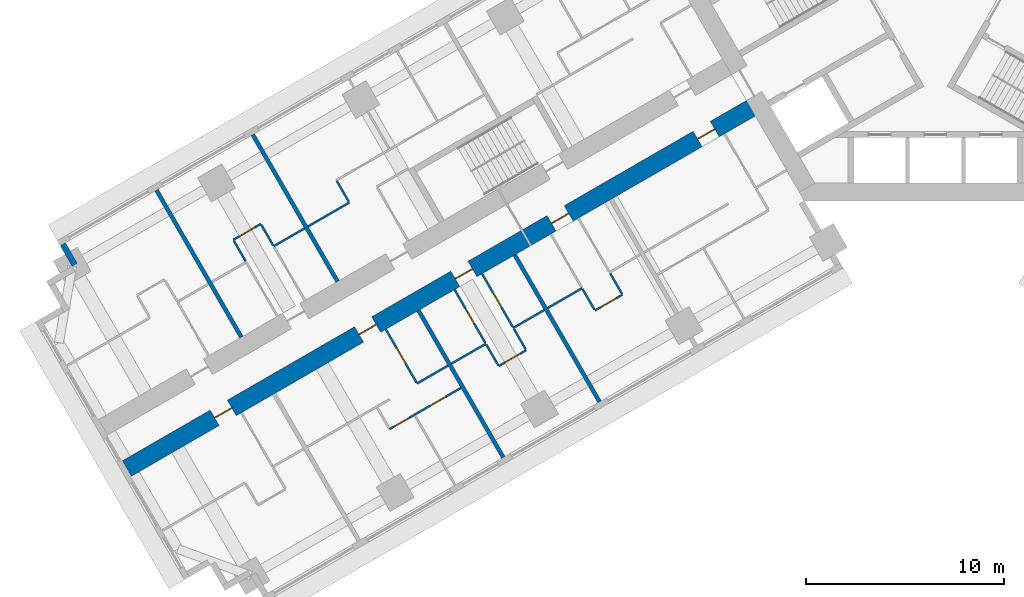
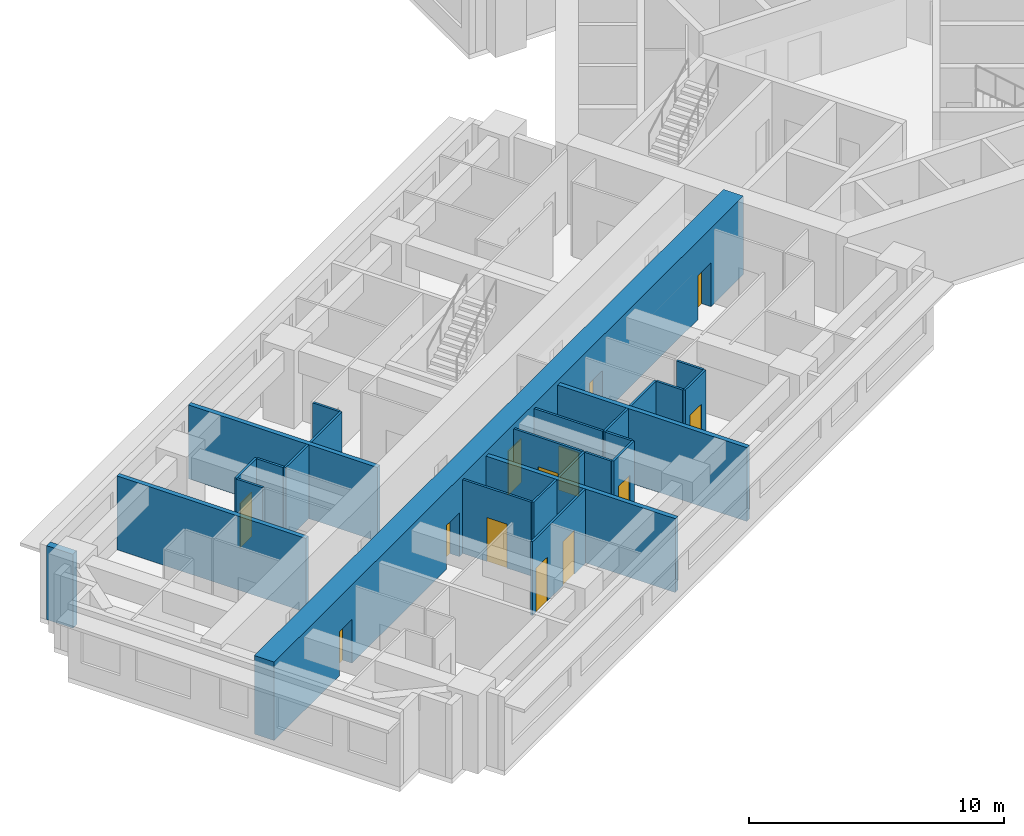
# One storey, part 4 of 16: 26 walls, 13 doors, 13 openings.
"""IFC4 building model written with IfcOpenShell, lengths in metres."""

from ifc_helpers import new_model, si_unit, direction, frame, frame_2d, origin, place, context, subcontext, project, spatial, rectangle, extrude, material, layer, layer_set, type_object, element, fill, save


model = new_model("IFC4")

# Units and contexts
model_context = context("Model", 3, precision=1e-05, world=origin(), true_north=direction((0.0, 1.0)))
body_context = subcontext(model_context, "Body", "Model", "MODEL_VIEW")
ifc_project = project(units=[si_unit("LENGTHUNIT", "METRE"), si_unit("AREAUNIT", "SQUARE_METRE"), si_unit("VOLUMEUNIT", "CUBIC_METRE"), si_unit("PLANEANGLEUNIT", "RADIAN"), si_unit("MASSUNIT", "GRAM", prefix="KILO")], contexts=[model_context])

# Site, building, storey
site_placement = place(None, origin())
site = spatial("IfcSite", under=ifc_project, at=site_placement, CompositionType="ELEMENT")
building_placement = place(site_placement, origin())
building = spatial("IfcBuilding", under=site, at=building_placement, Name="Impinga Residences", CompositionType="ELEMENT")
storey_placement = place(building_placement, frame((0.0, 0.0, 63.5)))
storey = spatial("IfcBuildingStorey", under=building, at=storey_placement, Name="L15", CompositionType="ELEMENT", Elevation=63.5)

# Wall, openings, doors
ifc_material_1 = material(Name="Concrete C70/85", Category="concrete")
ifc_layer_1 = layer(ifc_material_1, 0.89990234375)
ifc_layer_set_1 = layer_set([ifc_layer_1], Name="Concrete C70/85")
wall_type_1 = type_object("IfcWallType", Name="BW1 corridor buttress wall, L05 to L22 900", PredefinedType="SHEAR", material=ifc_layer_set_1)
wall_1_placement = place(storey_placement, frame((-8.910400390625, -6.530029296875, 0.0), z_axis=(0.0, 0.0, 1.0), x_axis=(-0.866025284237, -0.500000207062, 0.0)))
wall_1 = element("IfcWall", 1, at=wall_1_placement, inside=storey, type_object=wall_type_1, Name="Corridor wall BW1 WC L15", PredefinedType="SHEAR", context=body_context, shape_type="SweptSolid", body=[
    extrude(rectangle(XDim=36.75, YDim=0.89990234375, at=frame_2d((18.375, 0.0))), origin(), (0.0, 0.0, 1.0), 3.75),
])
opening_1_placement = place(wall_1_placement, frame((2.550048828125, 0.0, 0.0)))
opening_1 = element("IfcOpeningElement", 2, at=opening_1_placement, cuts=wall_1, Name="Opening D1", PredefinedType="OPENING", context=body_context, shape_type="SweptSolid", body=[
    extrude(rectangle(XDim=1.0, YDim=2.10009765625, at=frame_2d((0.5, 1.050048828125))), frame((0.0, 0.4599609375, 0.0), z_axis=(0.0, -1.0, 0.0), x_axis=(1.0, 0.0, 0.0)), (0.0, 0.0, 1.0), 0.919921875),
])
opening_2_placement = place(wall_1_placement, frame((11.050048828125, 0.0, 0.0)))
opening_2 = element("IfcOpeningElement", 3, at=opening_2_placement, cuts=wall_1, Name="Opening D1", PredefinedType="OPENING", context=body_context, shape_type="SweptSolid", body=[
    extrude(rectangle(XDim=1.0, YDim=2.10009765625, at=frame_2d((0.5, 1.050048828125))), frame((0.0, 0.4599609375, 0.0), z_axis=(0.0, -1.0, 0.0), x_axis=(1.0, 0.0, 0.0)), (0.0, 0.0, 1.0), 0.919921875),
])
opening_3_placement = place(wall_1_placement, frame((16.64990234375, 0.0, 0.0)))
opening_3 = element("IfcOpeningElement", 4, at=opening_3_placement, cuts=wall_1, Name="Opening D1", PredefinedType="OPENING", context=body_context, shape_type="SweptSolid", body=[
    extrude(rectangle(XDim=1.0, YDim=2.10009765625, at=frame_2d((0.5, 1.050048828125))), frame((0.0, 0.4599609375, 0.0), z_axis=(0.0, -1.0, 0.0), x_axis=(1.0, 0.0, 0.0)), (0.0, 0.0, 1.0), 0.919921875),
])
opening_4_placement = place(wall_1_placement, frame((22.25, 0.0, 0.0)))
opening_4 = element("IfcOpeningElement", 5, at=opening_4_placement, cuts=wall_1, Name="Opening D1", PredefinedType="OPENING", context=body_context, shape_type="SweptSolid", body=[
    extrude(rectangle(XDim=1.0, YDim=2.10009765625, at=frame_2d((0.5, 1.050048828125))), frame((0.0, 0.4599609375, 0.0), z_axis=(0.0, -1.0, 0.0), x_axis=(1.0, 0.0, 0.0)), (0.0, 0.0, 1.0), 0.919921875),
])
opening_5_placement = place(wall_1_placement, frame((30.64990234375, 0.0, 0.0)))
opening_5 = element("IfcOpeningElement", 6, at=opening_5_placement, cuts=wall_1, Name="Opening D1", PredefinedType="OPENING", context=body_context, shape_type="SweptSolid", body=[
    extrude(rectangle(XDim=1.0, YDim=2.10009765625, at=frame_2d((0.5, 1.050048828125))), frame((0.0, 0.4599609375, 0.0), z_axis=(0.0, -1.0, 0.0), x_axis=(1.0, 0.0, 0.0)), (0.0, 0.0, 1.0), 0.919921875),
])
ifc_material_2 = material(Name="Timber door set", Category="wood")
door_type_1 = type_object("IfcDoorType", Name="D1 apartment entrance door 1000x2100", OperationType="SINGLE_SWING_LEFT", PredefinedType="DOOR", material=ifc_material_2)
door_1_placement = place(opening_1_placement, origin())
door_1 = element("IfcDoor", 7, at=door_1_placement, inside=storey, type_object=door_type_1, Name="Apartment L15-WA1 entrance", OperationType="SINGLE_SWING_LEFT", OverallHeight=2.10009765625, OverallWidth=1.0, PredefinedType="DOOR", context=body_context, shape_type="SweptSolid", body=[
    extrude(rectangle(XDim=1.0, YDim=2.10009765625, at=frame_2d((0.5, 1.050048828125))), frame((0.0, 0.02490234375, 0.0), z_axis=(0.0, -1.0, 0.0), x_axis=(1.0, 0.0, 0.0)), (0.0, 0.0, 1.0), 0.050048828125),
])
fill(opening_1, door_1)
door_2_placement = place(opening_2_placement, origin())
door_2 = element("IfcDoor", 8, at=door_2_placement, inside=storey, type_object=door_type_1, Name="Apartment L15-WA2 entrance", OperationType="SINGLE_SWING_LEFT", OverallHeight=2.10009765625, OverallWidth=1.0, PredefinedType="DOOR", context=body_context, shape_type="SweptSolid", body=[
    extrude(rectangle(XDim=1.0, YDim=2.10009765625, at=frame_2d((0.5, 1.050048828125))), frame((0.0, 0.02490234375, 0.0), z_axis=(0.0, -1.0, 0.0), x_axis=(1.0, 0.0, 0.0)), (0.0, 0.0, 1.0), 0.050048828125),
])
fill(opening_2, door_2)
door_3_placement = place(opening_3_placement, origin())
door_3 = element("IfcDoor", 9, at=door_3_placement, inside=storey, type_object=door_type_1, Name="Apartment L15-WA3 entrance", OperationType="SINGLE_SWING_LEFT", OverallHeight=2.10009765625, OverallWidth=1.0, PredefinedType="DOOR", context=body_context, shape_type="SweptSolid", body=[
    extrude(rectangle(XDim=1.0, YDim=2.10009765625, at=frame_2d((0.5, 1.050048828125))), frame((0.0, 0.02490234375, 0.0), z_axis=(0.0, -1.0, 0.0), x_axis=(1.0, 0.0, 0.0)), (0.0, 0.0, 1.0), 0.050048828125),
])
fill(opening_3, door_3)
door_4_placement = place(opening_4_placement, origin())
door_4 = element("IfcDoor", 10, at=door_4_placement, inside=storey, type_object=door_type_1, Name="Apartment L15-WA4 entrance", OperationType="SINGLE_SWING_RIGHT", OverallHeight=2.10009765625, OverallWidth=1.0, PredefinedType="DOOR", context=body_context, shape_type="SweptSolid", body=[
    extrude(rectangle(XDim=1.0, YDim=2.10009765625, at=frame_2d((0.5, 1.050048828125))), frame((0.0, 0.02490234375, 0.0), z_axis=(0.0, -1.0, 0.0), x_axis=(1.0, 0.0, 0.0)), (0.0, 0.0, 1.0), 0.050048828125),
])
fill(opening_4, door_4)
door_5_placement = place(opening_5_placement, origin())
door_5 = element("IfcDoor", 11, at=door_5_placement, inside=storey, type_object=door_type_1, Name="Apartment L15-WA5 entrance", OperationType="SINGLE_SWING_RIGHT", OverallHeight=2.10009765625, OverallWidth=1.0, PredefinedType="DOOR", context=body_context, shape_type="SweptSolid", body=[
    extrude(rectangle(XDim=1.0, YDim=2.10009765625, at=frame_2d((0.5, 1.050048828125))), frame((0.0, 0.02490234375, 0.0), z_axis=(0.0, -1.0, 0.0), x_axis=(1.0, 0.0, 0.0)), (0.0, 0.0, 1.0), 0.050048828125),
])
fill(opening_5, door_5)

# Walls
ifc_material_3 = material(Name="Terracotta rainscreen on blockwork", Category="masonry")
ifc_layer_2 = layer(ifc_material_3, 0.300048828125)
ifc_layer_set_2 = layer_set([ifc_layer_2], Name="EW1 external wall, terracotta rainscreen on blockwork 300")
wall_type_2 = type_object("IfcWallType", Name="EW1 external wall, terracotta rainscreen on blockwork 300", PredefinedType="SOLIDWALL", material=ifc_layer_set_2)
wall_2_placement = place(storey_placement, frame((-43.37109375, -14.64208984375, 0.0), z_axis=(0.0, 0.0, 1.0), x_axis=(-0.500029051137, 0.866008630453, 0.0)))
element("IfcWall", 12, at=wall_2_placement, inside=storey, type_object=wall_type_2, Name="External wall EW1 L15", PredefinedType="SOLIDWALL", context=body_context, shape_type="SweptSolid", body=[
    extrude(rectangle(XDim=1.19482421875, YDim=0.300048828125, at=frame_2d((0.597412109375, 0.0))), origin(), (0.0, 0.0, 1.0), 3.530029296875),
])
ifc_material_4 = material(Name="Gypsum board on steel studs", Category="steel")
ifc_layer_3 = layer(ifc_material_4, 0.10009765625)
ifc_layer_set_3 = layer_set([ifc_layer_3], Name="Gypsum board on steel studs")
wall_type_3 = type_object("IfcWallType", Name="IP1 partition 100", PredefinedType="PARTITIONING", material=ifc_layer_set_3)
wall_3_placement = place(storey_placement, frame((-17.8056640625, -15.82275390625, 0.0), z_axis=(0.0, 0.0, 1.0), x_axis=(-0.866041268327, -0.499972520799, 0.0)))
element("IfcWall", 13, at=wall_3_placement, inside=storey, type_object=wall_type_3, Name="Partition L15-WA2:DIV1", PredefinedType="PARTITIONING", context=body_context, shape_type="SweptSolid", body=[
    extrude(rectangle(XDim=2.0, YDim=0.10009765625, at=frame_2d((1.0, 0.0))), origin(), (0.0, 0.0, 1.0), 3.530029296875),
])

# Wall, opening, door
wall_4_placement = place(storey_placement, frame((-15.77001953125, -16.1484375, 0.0), z_axis=(0.0, 0.0, 1.0), x_axis=(-0.866028054938, -0.499995408039, 0.0)))
wall_4 = element("IfcWall", 14, at=wall_4_placement, inside=storey, type_object=wall_type_3, Name="Partition L15-WA2:STRIP", PredefinedType="PARTITIONING", context=body_context, shape_type="SweptSolid", body=[
    extrude(rectangle(XDim=1.60009765625, YDim=0.10009765625, at=frame_2d((0.800048828125, 0.0))), origin(), (0.0, 0.0, 1.0), 3.530029296875),
])
opening_6_placement = place(wall_4_placement, frame((0.35009765625, 0.0, 0.0)))
opening_6 = element("IfcOpeningElement", 15, at=opening_6_placement, cuts=wall_4, Name="Opening D2", PredefinedType="OPENING", context=body_context, shape_type="SweptSolid", body=[
    extrude(rectangle(XDim=0.89990234375, YDim=2.10009765625, at=frame_2d((0.449951171875, 1.050048828125))), frame((0.0, 0.06005859375, 0.0), z_axis=(0.0, -1.0, 0.0), x_axis=(1.0, 0.0, 0.0)), (0.0, 0.0, 1.0), 0.1201171875),
])
door_type_2 = type_object("IfcDoorType", Name="D2 internal door 900x2100", OperationType="SINGLE_SWING_LEFT", PredefinedType="DOOR", material=ifc_material_2)
door_6_placement = place(opening_6_placement, origin())
door_6 = element("IfcDoor", 16, at=door_6_placement, inside=storey, type_object=door_type_2, Name="Apartment L15-WA2 room door", OperationType="SINGLE_SWING_LEFT", OverallHeight=2.10009765625, OverallWidth=0.89990234375, PredefinedType="DOOR", context=body_context, shape_type="SweptSolid", body=[
    extrude(rectangle(XDim=0.89990234375, YDim=2.10009765625, at=frame_2d((0.449951171875, 1.050048828125))), frame((0.0, 0.02490234375, 0.0), z_axis=(0.0, -1.0, 0.0), x_axis=(1.0, 0.0, 0.0)), (0.0, 0.0, 1.0), 0.050048828125),
])
fill(opening_6, door_6)

# Walls
wall_5_placement = place(storey_placement, frame((-16.39501953125, -15.06591796875, 0.0), z_axis=(0.0, 0.0, 1.0), x_axis=(0.499880961361, -0.866094119867, 0.0)))
element("IfcWall", 17, at=wall_5_placement, inside=storey, type_object=wall_type_3, Name="Partition L15-WA2:SE0", PredefinedType="PARTITIONING", context=body_context, shape_type="SweptSolid", body=[
    extrude(rectangle(XDim=1.199951171875, YDim=0.10009765625, at=frame_2d((0.60009765625, 0.0))), origin(), (0.0, 0.0, 1.0), 3.530029296875),
])
wall_6_placement = place(storey_placement, frame((-17.78076171875, -15.865966796875, 0.0), z_axis=(0.0, 0.0, 1.0), x_axis=(0.500033551112, -0.866006032174, 0.0)))
element("IfcWall", 18, at=wall_6_placement, inside=storey, type_object=wall_type_3, Name="Partition L15-WA2:SE1", PredefinedType="PARTITIONING", context=body_context, shape_type="SweptSolid", body=[
    extrude(rectangle(XDim=1.2001953125, YDim=0.10009765625, at=frame_2d((0.60009765625, 0.0))), origin(), (0.0, 0.0, 1.0), 3.530029296875),
])
wall_7_placement = place(storey_placement, frame((-19.7109375, -16.922607421875, 0.0), z_axis=(0.0, 0.0, 1.0), x_axis=(-0.865989075817, -0.500062916607, 0.0)))
element("IfcWall", 19, at=wall_7_placement, inside=storey, type_object=wall_type_3, Name="Partition L15-WA3:DIV0", PredefinedType="PARTITIONING", context=body_context, shape_type="SweptSolid", body=[
    extrude(rectangle(XDim=1.800048828125, YDim=0.10009765625, at=frame_2d((0.89990234375, 0.0))), origin(), (0.0, 0.0, 1.0), 3.530029296875),
])
wall_8_placement = place(storey_placement, frame((-22.655517578125, -18.622802734375, 0.0), z_axis=(0.0, 0.0, 1.0), x_axis=(-0.866010750942, -0.50002537861, 0.0)))
element("IfcWall", 20, at=wall_8_placement, inside=storey, type_object=wall_type_3, Name="Partition L15-WA3:DIV1", PredefinedType="PARTITIONING", context=body_context, shape_type="SweptSolid", body=[
    extrude(rectangle(XDim=2.0, YDim=0.10009765625, at=frame_2d((1.0, 0.0))), origin(), (0.0, 0.0, 1.0), 3.530029296875),
])

# Wall, opening, door
wall_9_placement = place(storey_placement, frame((-20.619873046875, -18.948486328125, 0.0), z_axis=(0.0, 0.0, 1.0), x_axis=(-0.865989903783, -0.500061482766, 0.0)))
wall_9 = element("IfcWall", 21, at=wall_9_placement, inside=storey, type_object=wall_type_3, Name="Partition L15-WA3:STRIP", PredefinedType="PARTITIONING", context=body_context, shape_type="SweptSolid", body=[
    extrude(rectangle(XDim=1.599853515625, YDim=0.10009765625, at=frame_2d((0.7998046875, 0.0))), origin(), (0.0, 0.0, 1.0), 3.530029296875),
])
opening_7_placement = place(wall_9_placement, frame((0.35009765625, 0.0, 0.0)))
opening_7 = element("IfcOpeningElement", 22, at=opening_7_placement, cuts=wall_9, Name="Opening D2", PredefinedType="OPENING", context=body_context, shape_type="SweptSolid", body=[
    extrude(rectangle(XDim=0.89990234375, YDim=2.10009765625, at=frame_2d((0.449951171875, 1.050048828125))), frame((0.0, 0.06005859375, 0.0), z_axis=(0.0, -1.0, 0.0), x_axis=(1.0, 0.0, 0.0)), (0.0, 0.0, 1.0), 0.1201171875),
])
door_7_placement = place(opening_7_placement, origin())
door_7 = element("IfcDoor", 23, at=door_7_placement, inside=storey, type_object=door_type_2, Name="Apartment L15-WA3 room door", OperationType="SINGLE_SWING_LEFT", OverallHeight=2.10009765625, OverallWidth=0.89990234375, PredefinedType="DOOR", context=body_context, shape_type="SweptSolid", body=[
    extrude(rectangle(XDim=0.89990234375, YDim=2.10009765625, at=frame_2d((0.449951171875, 1.050048828125))), frame((0.0, 0.02490234375, 0.0), z_axis=(0.0, -1.0, 0.0), x_axis=(1.0, 0.0, 0.0)), (0.0, 0.0, 1.0), 0.050048828125),
])
fill(opening_7, door_7)

# Walls
wall_10_placement = place(storey_placement, frame((-21.244873046875, -17.865966796875, 0.0), z_axis=(0.0, 0.0, 1.0), x_axis=(0.500033551112, -0.866006032174, 0.0)))
element("IfcWall", 24, at=wall_10_placement, inside=storey, type_object=wall_type_3, Name="Partition L15-WA3:SE0", PredefinedType="PARTITIONING", context=body_context, shape_type="SweptSolid", body=[
    extrude(rectangle(XDim=1.2001953125, YDim=0.10009765625, at=frame_2d((0.60009765625, 0.0))), origin(), (0.0, 0.0, 1.0), 3.530029296875),
])
wall_11_placement = place(storey_placement, frame((-22.63037109375, -18.666015625, 0.0), z_axis=(0.0, 0.0, 1.0), x_axis=(0.499880961361, -0.866094119867, 0.0)))
element("IfcWall", 25, at=wall_11_placement, inside=storey, type_object=wall_type_3, Name="Partition L15-WA3:SE1", PredefinedType="PARTITIONING", context=body_context, shape_type="SweptSolid", body=[
    extrude(rectangle(XDim=1.199951171875, YDim=0.10009765625, at=frame_2d((0.60009765625, 0.0))), origin(), (0.0, 0.0, 1.0), 3.530029296875),
])

# Wall, opening, door
wall_12_placement = place(storey_placement, frame((-22.8447265625, -15.0947265625, 0.0), z_axis=(0.0, 0.0, 1.0), x_axis=(0.499967891604, -0.866043940782, 0.0)))
wall_12 = element("IfcWall", 26, at=wall_12_placement, inside=storey, type_object=wall_type_3, Name="Partition L15-WA3:IB1", PredefinedType="PARTITIONING", context=body_context, shape_type="SweptSolid", body=[
    extrude(rectangle(XDim=3.099853515625, YDim=0.10009765625, at=frame_2d((1.5498046875, 0.0))), origin(), (0.0, 0.0, 1.0), 3.530029296875),
])
opening_8_placement = place(wall_12_placement, frame((1.10009765625, 0.0, 0.0)))
opening_8 = element("IfcOpeningElement", 27, at=opening_8_placement, cuts=wall_12, Name="Opening D2", PredefinedType="OPENING", context=body_context, shape_type="SweptSolid", body=[
    extrude(rectangle(XDim=0.89990234375, YDim=2.10009765625, at=frame_2d((0.449951171875, 1.050048828125))), frame((0.0, 0.06005859375, 0.0), z_axis=(0.0, -1.0, 0.0), x_axis=(1.0, 0.0, 0.0)), (0.0, 0.0, 1.0), 0.1201171875),
])
door_8_placement = place(opening_8_placement, origin())
door_8 = element("IfcDoor", 28, at=door_8_placement, inside=storey, type_object=door_type_2, Name="Apartment L15-WA3 bathroom door", OperationType="SINGLE_SWING_LEFT", OverallHeight=2.10009765625, OverallWidth=0.89990234375, PredefinedType="DOOR", context=body_context, shape_type="SweptSolid", body=[
    extrude(rectangle(XDim=0.89990234375, YDim=2.10009765625, at=frame_2d((0.449951171875, 1.050048828125))), frame((0.0, 0.02490234375, 0.0), z_axis=(0.0, -1.0, 0.0), x_axis=(1.0, 0.0, 0.0)), (0.0, 0.0, 1.0), 0.050048828125),
])
fill(opening_8, door_8)

wall_13_placement = place(storey_placement, frame((-24.23046875, -15.894775390625, 0.0), z_axis=(0.0, 0.0, 1.0), x_axis=(0.500026960575, -0.86600983753, 0.0)))
wall_13 = element("IfcWall", 29, at=wall_13_placement, inside=storey, type_object=wall_type_3, Name="Partition L15-WA3:IB2", PredefinedType="PARTITIONING", context=body_context, shape_type="SweptSolid", body=[
    extrude(rectangle(XDim=3.099853515625, YDim=0.10009765625, at=frame_2d((1.5498046875, 0.0))), origin(), (0.0, 0.0, 1.0), 3.530029296875),
])
opening_9_placement = place(wall_13_placement, frame((1.10009765625, 0.0, 0.0)))
opening_9 = element("IfcOpeningElement", 30, at=opening_9_placement, cuts=wall_13, Name="Opening D2", PredefinedType="OPENING", context=body_context, shape_type="SweptSolid", body=[
    extrude(rectangle(XDim=0.89990234375, YDim=2.10009765625, at=frame_2d((0.449951171875, 1.050048828125))), frame((0.0, 0.06005859375, 0.0), z_axis=(0.0, -1.0, 0.0), x_axis=(1.0, 0.0, 0.0)), (0.0, 0.0, 1.0), 0.1201171875),
])
door_9_placement = place(opening_9_placement, origin())
door_9 = element("IfcDoor", 31, at=door_9_placement, inside=storey, type_object=door_type_2, Name="Apartment L15-WA3 WC door", OperationType="SINGLE_SWING_LEFT", OverallHeight=2.10009765625, OverallWidth=0.89990234375, PredefinedType="DOOR", context=body_context, shape_type="SweptSolid", body=[
    extrude(rectangle(XDim=0.89990234375, YDim=2.10009765625, at=frame_2d((0.449951171875, 1.050048828125))), frame((0.0, 0.02490234375, 0.0), z_axis=(0.0, -1.0, 0.0), x_axis=(1.0, 0.0, 0.0)), (0.0, 0.0, 1.0), 0.050048828125),
])
fill(opening_9, door_9)

# Wall
wall_14_placement = place(storey_placement, frame((-24.560791015625, -19.72265625, 0.0), z_axis=(0.0, 0.0, 1.0), x_axis=(-0.865989075817, -0.500062916607, 0.0)))
element("IfcWall", 32, at=wall_14_placement, inside=storey, type_object=wall_type_3, Name="Partition L15-WA4:DIV0", PredefinedType="PARTITIONING", context=body_context, shape_type="SweptSolid", body=[
    extrude(rectangle(XDim=1.800048828125, YDim=0.10009765625, at=frame_2d((0.89990234375, 0.0))), origin(), (0.0, 0.0, 1.0), 3.530029296875),
])

# Wall, openings, doors
wall_15_placement = place(storey_placement, frame((-23.91064453125, -20.8486328125, 0.0), z_axis=(0.0, 0.0, 1.0), x_axis=(-0.86602981871, -0.499992353047, 0.0)))
wall_15 = element("IfcWall", 33, at=wall_15_placement, inside=storey, type_object=wall_type_3, Name="Partition L15-WA4:STRIP", PredefinedType="PARTITIONING", context=body_context, shape_type="SweptSolid", body=[
    extrude(rectangle(XDim=4.14990234375, YDim=0.10009765625, at=frame_2d((2.074951171875, 0.0))), origin(), (0.0, 0.0, 1.0), 3.530029296875),
])
opening_10_placement = place(wall_15_placement, frame((0.875, 0.0, 0.0)))
opening_10 = element("IfcOpeningElement", 34, at=opening_10_placement, cuts=wall_15, Name="Opening D2", PredefinedType="OPENING", context=body_context, shape_type="SweptSolid", body=[
    extrude(rectangle(XDim=0.89990234375, YDim=2.10009765625, at=frame_2d((0.449951171875, 1.050048828125))), frame((0.0, 0.06005859375, 0.0), z_axis=(0.0, -1.0, 0.0), x_axis=(1.0, 0.0, 0.0)), (0.0, 0.0, 1.0), 0.1201171875),
])
opening_11_placement = place(wall_15_placement, frame((3.0, 0.0, 0.0)))
opening_11 = element("IfcOpeningElement", 35, at=opening_11_placement, cuts=wall_15, Name="Opening D2", PredefinedType="OPENING", context=body_context, shape_type="SweptSolid", body=[
    extrude(rectangle(XDim=0.89990234375, YDim=2.10009765625, at=frame_2d((0.449951171875, 1.050048828125))), frame((0.0, 0.06005859375, 0.0), z_axis=(0.0, -1.0, 0.0), x_axis=(1.0, 0.0, 0.0)), (0.0, 0.0, 1.0), 0.1201171875),
])
door_10_placement = place(opening_10_placement, origin())
door_10 = element("IfcDoor", 36, at=door_10_placement, inside=storey, type_object=door_type_2, Name="Apartment L15-WA4 room door", OperationType="SINGLE_SWING_LEFT", OverallHeight=2.10009765625, OverallWidth=0.89990234375, PredefinedType="DOOR", context=body_context, shape_type="SweptSolid", body=[
    extrude(rectangle(XDim=0.89990234375, YDim=2.10009765625, at=frame_2d((0.449951171875, 1.050048828125))), frame((0.0, 0.02490234375, 0.0), z_axis=(0.0, -1.0, 0.0), x_axis=(1.0, 0.0, 0.0)), (0.0, 0.0, 1.0), 0.050048828125),
])
fill(opening_10, door_10)
door_11_placement = place(opening_11_placement, origin())
door_11 = element("IfcDoor", 37, at=door_11_placement, inside=storey, type_object=door_type_2, Name="Apartment L15-WA4 room door", OperationType="SINGLE_SWING_RIGHT", OverallHeight=2.10009765625, OverallWidth=0.89990234375, PredefinedType="DOOR", context=body_context, shape_type="SweptSolid", body=[
    extrude(rectangle(XDim=0.89990234375, YDim=2.10009765625, at=frame_2d((0.449951171875, 1.050048828125))), frame((0.0, 0.02490234375, 0.0), z_axis=(0.0, -1.0, 0.0), x_axis=(1.0, 0.0, 0.0)), (0.0, 0.0, 1.0), 0.050048828125),
])
fill(opening_11, door_11)

# Wall, opening, door
wall_16_placement = place(storey_placement, frame((-27.694580078125, -17.894775390625, 0.0), z_axis=(0.0, 0.0, 1.0), x_axis=(0.500026960575, -0.86600983753, 0.0)))
wall_16 = element("IfcWall", 38, at=wall_16_placement, inside=storey, type_object=wall_type_3, Name="Partition L15-WA4:IB1", PredefinedType="PARTITIONING", context=body_context, shape_type="SweptSolid", body=[
    extrude(rectangle(XDim=3.099853515625, YDim=0.10009765625, at=frame_2d((1.5498046875, 0.0))), origin(), (0.0, 0.0, 1.0), 3.530029296875),
])
opening_12_placement = place(wall_16_placement, frame((1.10009765625, 0.0, 0.0)))
opening_12 = element("IfcOpeningElement", 39, at=opening_12_placement, cuts=wall_16, Name="Opening D2", PredefinedType="OPENING", context=body_context, shape_type="SweptSolid", body=[
    extrude(rectangle(XDim=0.89990234375, YDim=2.10009765625, at=frame_2d((0.449951171875, 1.050048828125))), frame((0.0, 0.06005859375, 0.0), z_axis=(0.0, -1.0, 0.0), x_axis=(1.0, 0.0, 0.0)), (0.0, 0.0, 1.0), 0.1201171875),
])
door_12_placement = place(opening_12_placement, origin())
door_12 = element("IfcDoor", 40, at=door_12_placement, inside=storey, type_object=door_type_2, Name="Apartment L15-WA4 bathroom door", OperationType="SINGLE_SWING_LEFT", OverallHeight=2.10009765625, OverallWidth=0.89990234375, PredefinedType="DOOR", context=body_context, shape_type="SweptSolid", body=[
    extrude(rectangle(XDim=0.89990234375, YDim=2.10009765625, at=frame_2d((0.449951171875, 1.050048828125))), frame((0.0, 0.02490234375, 0.0), z_axis=(0.0, -1.0, 0.0), x_axis=(1.0, 0.0, 0.0)), (0.0, 0.0, 1.0), 0.050048828125),
])
fill(opening_12, door_12)

# Walls
wall_17_placement = place(storey_placement, frame((-29.533935546875, -11.5087890625, 0.0), z_axis=(0.0, 0.0, 1.0), x_axis=(-0.866024647952, -0.500001309137, 0.0)))
element("IfcWall", 41, at=wall_17_placement, inside=storey, type_object=wall_type_3, Name="Partition L15-WF2:DIV1", PredefinedType="PARTITIONING", context=body_context, shape_type="SweptSolid", body=[
    extrude(rectangle(XDim=2.39990234375, YDim=0.10009765625, at=frame_2d((1.199951171875, 0.0))), origin(), (0.0, 0.0, 1.0), 3.530029296875),
])
wall_18_placement = place(storey_placement, frame((-29.558837890625, -11.465576171875, 0.0), z_axis=(0.0, 0.0, 1.0), x_axis=(-0.500033551112, 0.866006032174, 0.0)))
element("IfcWall", 42, at=wall_18_placement, inside=storey, type_object=wall_type_3, Name="Partition L15-WF2:SE1", PredefinedType="PARTITIONING", context=body_context, shape_type="SweptSolid", body=[
    extrude(rectangle(XDim=1.2001953125, YDim=0.10009765625, at=frame_2d((0.60009765625, 0.0))), origin(), (0.0, 0.0, 1.0), 3.530029296875),
])
wall_19_placement = place(storey_placement, frame((-31.78564453125, -12.808837890625, 0.0), z_axis=(0.0, 0.0, 1.0), x_axis=(-0.866047807691, -0.499961193289, 0.0)))
element("IfcWall", 43, at=wall_19_placement, inside=storey, type_object=wall_type_3, Name="Partition L15-WF3:DIV0", PredefinedType="PARTITIONING", context=body_context, shape_type="SweptSolid", body=[
    extrude(rectangle(XDim=1.800048828125, YDim=0.10009765625, at=frame_2d((0.89990234375, 0.0))), origin(), (0.0, 0.0, 1.0), 3.530029296875),
])

# Wall, opening, door
wall_20_placement = place(storey_placement, frame((-33.994384765625, -12.5830078125, 0.0), z_axis=(0.0, 0.0, 1.0), x_axis=(-0.866028054938, -0.499995408039, 0.0)))
wall_20 = element("IfcWall", 44, at=wall_20_placement, inside=storey, type_object=wall_type_3, Name="Partition L15-WF3:STRIP", PredefinedType="PARTITIONING", context=body_context, shape_type="SweptSolid", body=[
    extrude(rectangle(XDim=1.60009765625, YDim=0.10009765625, at=frame_2d((0.800048828125, 0.0))), origin(), (0.0, 0.0, 1.0), 3.530029296875),
])
opening_13_placement = place(wall_20_placement, frame((0.35009765625, 0.0, 0.0)))
opening_13 = element("IfcOpeningElement", 45, at=opening_13_placement, cuts=wall_20, Name="Opening D2", PredefinedType="OPENING", context=body_context, shape_type="SweptSolid", body=[
    extrude(rectangle(XDim=0.89990234375, YDim=2.10009765625, at=frame_2d((0.449951171875, 1.050048828125))), frame((0.0, 0.06005859375, 0.0), z_axis=(0.0, -1.0, 0.0), x_axis=(1.0, 0.0, 0.0)), (0.0, 0.0, 1.0), 0.1201171875),
])
door_13_placement = place(opening_13_placement, origin())
door_13 = element("IfcDoor", 46, at=door_13_placement, inside=storey, type_object=door_type_2, Name="Apartment L15-WF3 room door", OperationType="SINGLE_SWING_LEFT", OverallHeight=2.10009765625, OverallWidth=0.89990234375, PredefinedType="DOOR", context=body_context, shape_type="SweptSolid", body=[
    extrude(rectangle(XDim=0.89990234375, YDim=2.10009765625, at=frame_2d((0.449951171875, 1.050048828125))), frame((0.0, 0.02490234375, 0.0), z_axis=(0.0, -1.0, 0.0), x_axis=(1.0, 0.0, 0.0)), (0.0, 0.0, 1.0), 0.050048828125),
])
fill(opening_13, door_13)

# Walls
wall_21_placement = place(storey_placement, frame((-33.369384765625, -13.66552734375, 0.0), z_axis=(0.0, 0.0, 1.0), x_axis=(-0.500033551112, 0.866006032174, 0.0)))
element("IfcWall", 47, at=wall_21_placement, inside=storey, type_object=wall_type_3, Name="Partition L15-WF3:SE0", PredefinedType="PARTITIONING", context=body_context, shape_type="SweptSolid", body=[
    extrude(rectangle(XDim=1.2001953125, YDim=0.10009765625, at=frame_2d((0.60009765625, 0.0))), origin(), (0.0, 0.0, 1.0), 3.530029296875),
])
wall_22_placement = place(storey_placement, frame((-34.755126953125, -14.465576171875, 0.0), z_axis=(0.0, 0.0, 1.0), x_axis=(-0.499880961361, 0.866094119867, 0.0)))
element("IfcWall", 48, at=wall_22_placement, inside=storey, type_object=wall_type_3, Name="Partition L15-WF3:SE1", PredefinedType="PARTITIONING", context=body_context, shape_type="SweptSolid", body=[
    extrude(rectangle(XDim=1.199951171875, YDim=0.10009765625, at=frame_2d((0.60009765625, 0.0))), origin(), (0.0, 0.0, 1.0), 3.530029296875),
])
ifc_material_5 = material(Name="Concrete blockwork", Category="masonry")
ifc_layer_4 = layer(ifc_material_5, 0.199951171875)
ifc_layer_set_4 = layer_set([ifc_layer_4], Name="PW1 party wall between apartments 200")
wall_type_4 = type_object("IfcWallType", Name="PW1 party wall between apartments 200", PredefinedType="SOLIDWALL", material=ifc_layer_set_4)
wall_23_placement = place(storey_placement, frame((-21.199462890625, -14.144775390625, 0.0), z_axis=(0.0, 0.0, 1.0), x_axis=(0.500011643316, -0.866018681408, 0.0)))
element("IfcWall", 49, at=wall_23_placement, inside=storey, type_object=wall_type_4, Name="Party wall between apartments L15-WA2:PARTY", PredefinedType="SOLIDWALL", context=body_context, shape_type="SweptSolid", body=[
    extrude(rectangle(XDim=8.550048828125, YDim=0.199951171875, at=frame_2d((4.27490234375, 0.0))), origin(), (0.0, 0.0, 1.0), 3.530029296875),
])
wall_24_placement = place(storey_placement, frame((-26.049072265625, -16.94482421875, 0.0), z_axis=(0.0, 0.0, 1.0), x_axis=(0.500002592159, -0.866023907196, 0.0)))
element("IfcWall", 50, at=wall_24_placement, inside=storey, type_object=wall_type_4, Name="Party wall between apartments L15-WA3:PARTY", PredefinedType="SOLIDWALL", context=body_context, shape_type="SweptSolid", body=[
    extrude(rectangle(XDim=8.5498046875, YDim=0.199951171875, at=frame_2d((4.27490234375, 0.0))), origin(), (0.0, 0.0, 1.0), 3.530029296875),
])
for number, where, z_axis, x_axis, name in (
    (51, (-30.1240234375, -15.48681640625, 0.0), (0.0, 0.0, 1.0), (-0.499990227581, 0.86603104582, 0.0), "Party wall between apartments L15-WF2:PARTY"),
    (52, (-34.9736328125, -18.286865234375, 0.0), (0.0, 0.0, 1.0), (-0.500011643316, 0.866018681408, 0.0), "Party wall between apartments L15-WF3:PARTY"),
):
    element("IfcWall", number, at=place(storey_placement, frame(where, z_axis=z_axis, x_axis=x_axis)), inside=storey, type_object=wall_type_4, Name=name, PredefinedType="SOLIDWALL", context=body_context, shape_type="SweptSolid", body=[
        extrude(rectangle(XDim=8.550048828125, YDim=0.199951171875, at=frame_2d((4.27490234375, 0.0))), origin(), (0.0, 0.0, 1.0), 3.530029296875),
    ])

save(model, "model.ifc")
